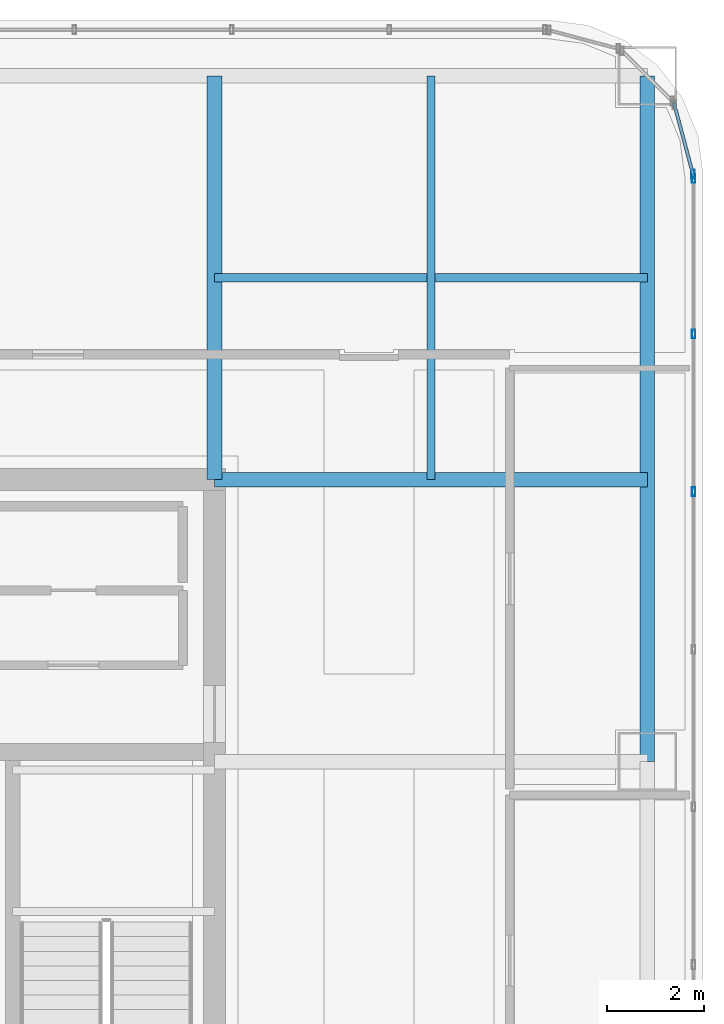
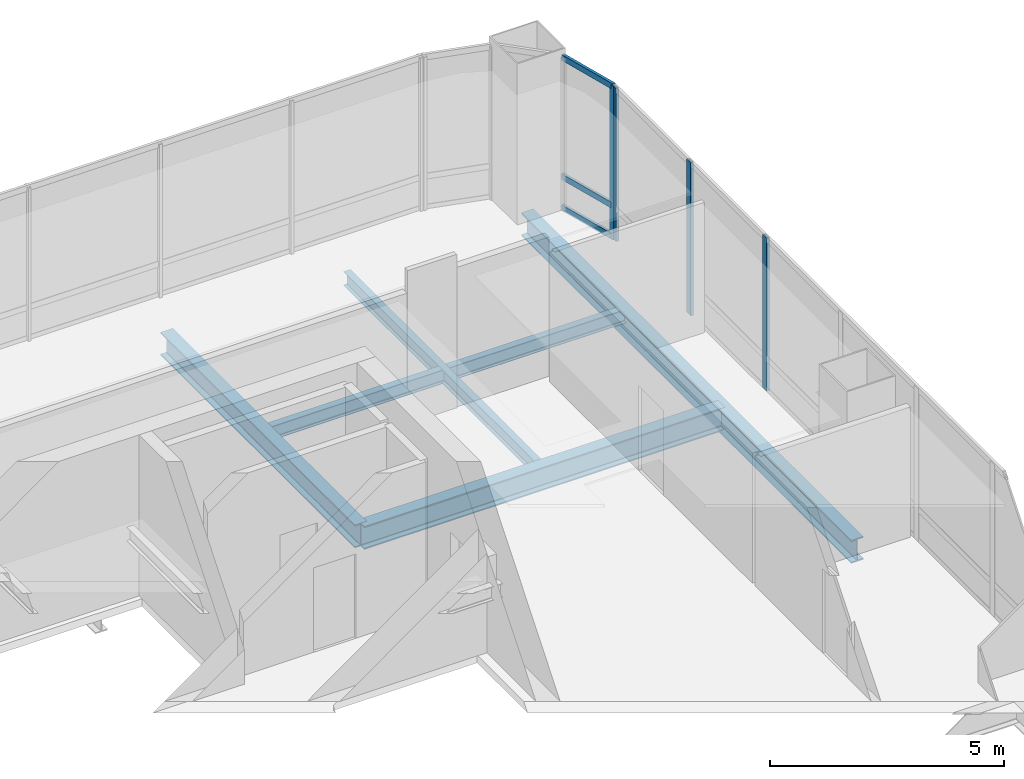
# One storey, part 30 of 43: 7 members, 5 beams, 2 elements without a shape of their own.
"""IFC4 building model written with IfcOpenShell, lengths in metres."""

from ifc_helpers import new_model, si_unit, direction, frame, origin, origin_2d, place, context, subcontext, project, spatial, hollow_rectangle, i_section, extrude, material, material_profile, profile_set, type_object, element, aggregate, save


model = new_model("IFC4")

# Units and contexts
model_context = context("Model", 3, precision=1e-05, world=origin(), true_north=direction((0.0, 1.0)))
body_context = subcontext(model_context, "Body", "Model", "MODEL_VIEW")
ifc_project = project(units=[si_unit("LENGTHUNIT", "METRE"), si_unit("AREAUNIT", "SQUARE_METRE"), si_unit("VOLUMEUNIT", "CUBIC_METRE"), si_unit("PLANEANGLEUNIT", "RADIAN"), si_unit("MASSUNIT", "GRAM", prefix="KILO")], contexts=[model_context])

# Site, building, storey
site_placement = place(None, origin())
site = spatial("IfcSite", under=ifc_project, at=site_placement, CompositionType="ELEMENT")
building_placement = place(site_placement, origin())
building = spatial("IfcBuilding", under=site, at=building_placement, Name="Punatoya Terracotta Tower", CompositionType="ELEMENT")
storey_placement = place(building_placement, frame((0.0, 0.0, 321.60009765625)))
storey = spatial("IfcBuildingStorey", under=building, at=storey_placement, Name="L76", CompositionType="ELEMENT", Elevation=321.60009765625)

# Beams
ifc_material_1 = material(Name="Steel S355", Category="steel")
ifc_material_profile_1 = material_profile(ifc_material_1, i_section(OverallWidth=0.300048828125, OverallDepth=0.60009765625, WebThickness=0.015380859375, FlangeThickness=0.030029296875, FilletRadius=0.01806640625, at=origin_2d()))
ifc_profile_set_1 = profile_set([ifc_material_profile_1], Name="Steel S355")
beam_type_1 = type_object("IfcBeamType", Name="BM-PRI-600", PredefinedType="BEAM", material=ifc_profile_set_1)
beam_1_placement = place(storey_placement, frame((19.10009765625, 3.39990234375, -0.5), z_axis=(0.0, 1.0, 0.0), x_axis=(-1.0, 0.0, 0.0)))
element("IfcBeam", 1, at=beam_1_placement, inside=storey, type_object=beam_type_1, Name="BM-L76-RG-E3", PredefinedType="BEAM", context=body_context, shape_type="SweptSolid", body=[
    extrude(i_section(OverallWidth=0.300048828125, OverallDepth=0.60009765625, WebThickness=0.015380859375, FlangeThickness=0.030029296875, FilletRadius=0.01806640625, at=origin_2d()), origin(), (0.0, 0.0, 1.0), 14.10009765625),
])
beam_2_placement = place(storey_placement, frame((10.199951171875, 9.199951171875, -0.5), z_axis=(1.0, 0.0, 0.0), x_axis=(0.0, 1.0, 0.0)))
element("IfcBeam", 2, at=beam_2_placement, inside=storey, type_object=beam_type_1, Name="BM-L76-PR-EN", PredefinedType="BEAM", context=body_context, shape_type="SweptSolid", body=[
    extrude(i_section(OverallWidth=0.300048828125, OverallDepth=0.60009765625, WebThickness=0.015380859375, FlangeThickness=0.030029296875, FilletRadius=0.01806640625, at=origin_2d()), origin(), (0.0, 0.0, 1.0), 8.900146484375),
])
beam_3_placement = place(storey_placement, frame((10.199951171875, 9.199951171875, -0.5), z_axis=(0.0, 1.0, 0.0), x_axis=(-1.0, 0.0, 0.0)))
element("IfcBeam", 3, at=beam_3_placement, inside=storey, type_object=beam_type_1, Name="BM-L76-PR-N4", PredefinedType="BEAM", context=body_context, shape_type="SweptSolid", body=[
    extrude(i_section(OverallWidth=0.300048828125, OverallDepth=0.60009765625, WebThickness=0.015380859375, FlangeThickness=0.030029296875, FilletRadius=0.01806640625, at=origin_2d()), origin(), (0.0, 0.0, 1.0), 8.300048828125),
])
ifc_material_profile_2 = material_profile(ifc_material_1, i_section(OverallWidth=0.169921875, OverallDepth=0.360107421875, WebThickness=0.008056640625, FlangeThickness=0.0126953125, FilletRadius=0.01806640625, at=origin_2d()))
ifc_profile_set_2 = profile_set([ifc_material_profile_2], Name="Steel S355")
beam_type_2 = type_object("IfcBeamType", Name="BM-SEC-360", PredefinedType="JOIST", material=ifc_profile_set_2)
beam_4_placement = place(storey_placement, frame((10.199951171875, 13.35009765625, -0.380126953125), z_axis=(1.0, 0.0, 0.0), x_axis=(0.0, 1.0, 0.0)))
element("IfcBeam", 4, at=beam_4_placement, inside=storey, type_object=beam_type_2, Name="BM-L76-SJN-2", PredefinedType="JOIST", context=body_context, shape_type="SweptSolid", body=[
    extrude(i_section(OverallWidth=0.169921875, OverallDepth=0.360107421875, WebThickness=0.008056640625, FlangeThickness=0.0126953125, FilletRadius=0.01806640625, at=origin_2d()), origin(), (0.0, 0.0, 1.0), 8.900146484375),
])
beam_5_placement = place(storey_placement, frame((14.64990234375, 9.199951171875, -0.380126953125), z_axis=(0.0, 1.0, 0.0), x_axis=(-1.0, 0.0, 0.0)))
element("IfcBeam", 5, at=beam_5_placement, inside=storey, type_object=beam_type_2, Name="BM-L76-SJE-2", PredefinedType="JOIST", context=body_context, shape_type="SweptSolid", body=[
    extrude(i_section(OverallWidth=0.169921875, OverallDepth=0.360107421875, WebThickness=0.008056640625, FlangeThickness=0.0126953125, FilletRadius=0.01806640625, at=origin_2d()), origin(), (0.0, 0.0, 1.0), 8.300048828125),
])

# Curtain wall, members
ifc_material_2 = material(Name="Aluminium 6063-T6 + Double Low-E Glass", Category="aluminium")
curtain_wall_type = type_object("IfcCurtainWallType", Name="CW-OBS", PredefinedType="NOTDEFINED", material=ifc_material_2)
curtain_wall_1_placement = place(storey_placement, origin())
curtain_wall_1 = element("IfcCurtainWall", 6, at=curtain_wall_1_placement, inside=storey, type_object=curtain_wall_type, Name="L76 Curtain Wall CW-L76-E05-1", PredefinedType="NOTDEFINED")
ifc_material_3 = material(Name="Aluminium 6063-T6", Category="aluminium")
ifc_material_profile_3 = material_profile(ifc_material_3, hollow_rectangle(XDim=0.070068359375, YDim=0.179931640625, WallThickness=0.00390625, at=origin_2d()))
ifc_profile_set_3 = profile_set([ifc_material_profile_3], Name="Aluminium 6063-T6")
member_type_1 = type_object("IfcMemberType", Name="CW-MUL-M3", PredefinedType="MULLION", material=ifc_profile_set_3)
member_1_placement = place(storey_placement, frame((20.050048828125, 8.95068359375, 0.0), z_axis=(0.0, 0.0, 1.0), x_axis=(1.0, 0.0, 0.0)))
member_1 = element("IfcMember", 7, at=member_1_placement, type_object=member_type_1, Name="CW-L76-E05-1 Mullion 09", PredefinedType="MULLION", context=body_context, shape_type="SweptSolid", body=[
    extrude(hollow_rectangle(XDim=0.070068359375, YDim=0.179931640625, WallThickness=0.00390625, at=origin_2d()), origin(), (0.0, 0.0, 1.0), 4.0),
])
member_2_placement = place(storey_placement, frame((20.050048828125, 12.19384765625, 0.0), z_axis=(0.0, 0.0, 1.0), x_axis=(1.0, 0.0, 0.0)))
member_2 = element("IfcMember", 8, at=member_2_placement, type_object=member_type_1, Name="CW-L76-E05-1 Mullion 10", PredefinedType="MULLION", context=body_context, shape_type="SweptSolid", body=[
    extrude(hollow_rectangle(XDim=0.070068359375, YDim=0.179931640625, WallThickness=0.00390625, at=origin_2d()), origin(), (0.0, 0.0, 1.0), 4.0),
])
member_3_placement = place(storey_placement, frame((20.050048828125, 15.391845703125, 0.0), z_axis=(0.0, 0.0, 1.0), x_axis=(1.0, 0.0, 0.0)))
member_3 = element("IfcMember", 9, at=member_3_placement, type_object=member_type_1, Name="CW-L76-E05-1 Mullion 11", PredefinedType="MULLION", context=body_context, shape_type="SweptSolid", body=[
    extrude(hollow_rectangle(XDim=0.070068359375, YDim=0.179931640625, WallThickness=0.00390625, at=origin_2d()), origin(), (0.0, 0.0, 1.0), 4.0),
])
aggregate(curtain_wall_1, [member_1, member_2, member_3])

curtain_wall_2_placement = place(storey_placement, origin())
curtain_wall_2 = element("IfcCurtainWall", 10, at=curtain_wall_2_placement, inside=storey, type_object=curtain_wall_type, Name="L76 Curtain Wall CW-L76-CRN06", PredefinedType="NOTDEFINED")
member_4_placement = place(storey_placement, frame((20.038330078125, 15.48046875, 0.0), z_axis=(0.0, 0.0, 1.0), x_axis=(1.0, 0.0, 0.0)))
member_4 = element("IfcMember", 11, at=member_4_placement, type_object=member_type_1, Name="CW-L76-CRN06 Mullion 00", PredefinedType="MULLION", context=body_context, shape_type="SweptSolid", body=[
    extrude(hollow_rectangle(XDim=0.070068359375, YDim=0.179931640625, WallThickness=0.00390625, at=origin_2d()), origin(), (0.0, 0.0, 1.0), 4.0),
])
ifc_material_profile_4 = material_profile(ifc_material_3, hollow_rectangle(XDim=0.068115234375, YDim=0.14990234375, WallThickness=0.00390625, at=origin_2d()))
ifc_profile_set_4 = profile_set([ifc_material_profile_4], Name="Aluminium 6063-T6")
member_type_2 = type_object("IfcMemberType", Name="CW-TRN-TYP", PredefinedType="USERDEFINED", material=ifc_profile_set_4)
member_5_placement = place(storey_placement, frame((20.050048828125, 15.43701171875, 0.039794921875), z_axis=(-0.257847112249, 0.966185730957, 0.0), x_axis=(-0.966185730957, -0.257847112249, 0.0)))
member_5 = element("IfcMember", 12, at=member_5_placement, type_object=member_type_2, Name="CW-L76-CRN06 Transom 1", ObjectType="TRANSOM", PredefinedType="USERDEFINED", context=body_context, shape_type="SweptSolid", body=[
    extrude(hollow_rectangle(XDim=0.068115234375, YDim=0.14990234375, WallThickness=0.00390625, at=origin_2d()), origin(), (0.0, 0.0, 1.0), 1.565185546875),
])
member_6_placement = place(storey_placement, frame((20.050048828125, 15.43701171875, 0.849853515625), z_axis=(-0.257847112249, 0.966185730957, 0.0), x_axis=(-0.966185730957, -0.257847112249, 0.0)))
member_6 = element("IfcMember", 13, at=member_6_placement, type_object=member_type_2, Name="CW-L76-CRN06 Transom 2", ObjectType="TRANSOM", PredefinedType="USERDEFINED", context=body_context, shape_type="SweptSolid", body=[
    extrude(hollow_rectangle(XDim=0.068115234375, YDim=0.14990234375, WallThickness=0.00390625, at=origin_2d()), origin(), (0.0, 0.0, 1.0), 1.565185546875),
])
member_7_placement = place(storey_placement, frame((20.050048828125, 15.43701171875, 3.9599609375), z_axis=(-0.257847112249, 0.966185730957, 0.0), x_axis=(-0.966185730957, -0.257847112249, 0.0)))
member_7 = element("IfcMember", 14, at=member_7_placement, type_object=member_type_2, Name="CW-L76-CRN06 Transom 3", ObjectType="TRANSOM", PredefinedType="USERDEFINED", context=body_context, shape_type="SweptSolid", body=[
    extrude(hollow_rectangle(XDim=0.068115234375, YDim=0.14990234375, WallThickness=0.00390625, at=origin_2d()), origin(), (0.0, 0.0, 1.0), 1.565185546875),
])
aggregate(curtain_wall_2, [member_4, member_5, member_6, member_7])

save(model, "model.ifc")
